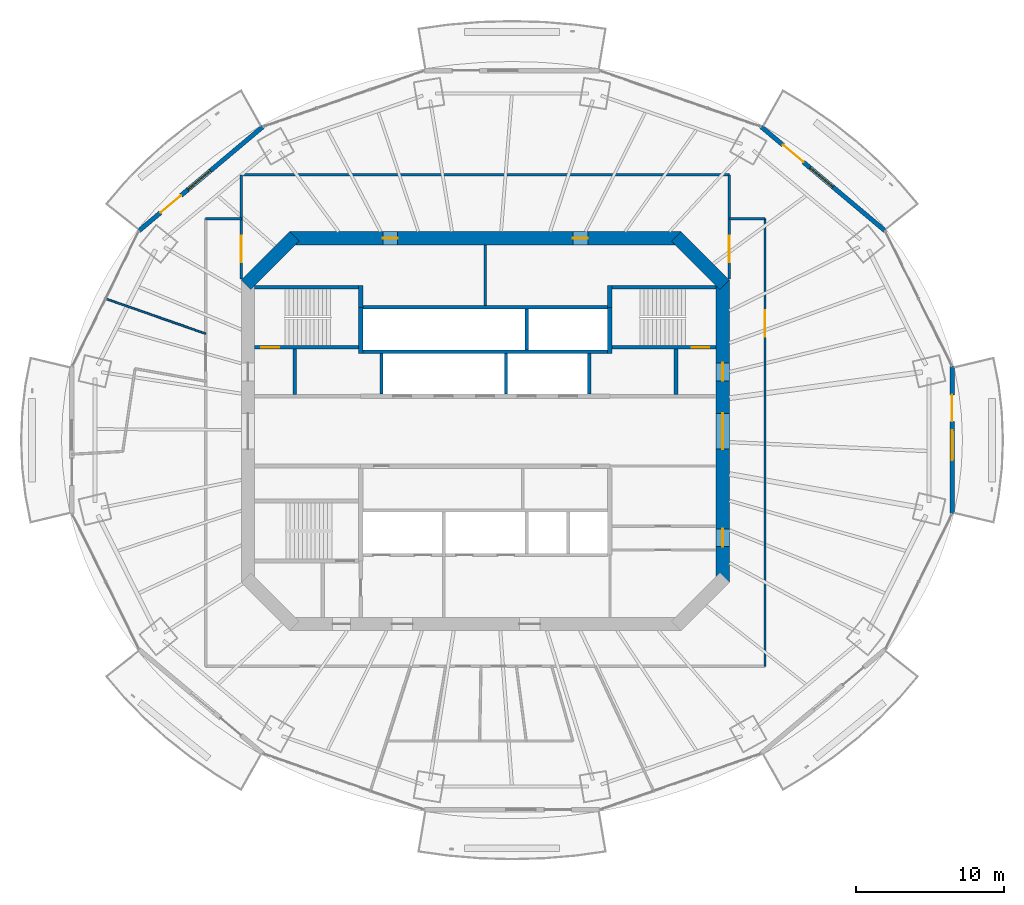
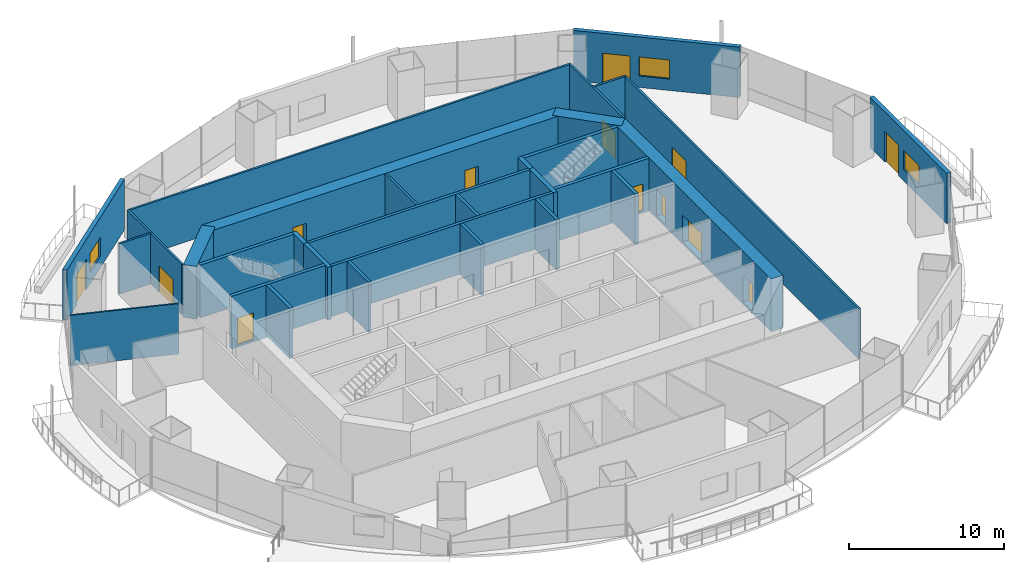
# One storey, part 12 of 19: 31 walls, 13 doors, 3 windows, 16 openings.
"""IFC4 building model written with IfcOpenShell, lengths in metres."""

from ifc_helpers import new_model, si_unit, direction, frame, frame_2d, origin, place, context, subcontext, project, spatial, rectangle, extrude, material, layer, layer_set, type_object, element, fill, save


model = new_model("IFC4")

# Units and contexts
model_context = context("Model", 3, precision=1e-05, world=origin(), true_north=direction((0.0, 1.0)))
body_context = subcontext(model_context, "Body", "Model", "MODEL_VIEW")
ifc_project = project(units=[si_unit("LENGTHUNIT", "METRE"), si_unit("AREAUNIT", "SQUARE_METRE"), si_unit("VOLUMEUNIT", "CUBIC_METRE"), si_unit("PLANEANGLEUNIT", "RADIAN"), si_unit("MASSUNIT", "GRAM", prefix="KILO")], contexts=[model_context])

# Site, building, storey
site_placement = place(None, origin())
site = spatial("IfcSite", under=ifc_project, at=site_placement, CompositionType="ELEMENT")
building_placement = place(site_placement, origin())
building = spatial("IfcBuilding", under=site, at=building_placement, Name="Marenthal Gate Tower", CompositionType="ELEMENT")
storey_placement = place(building_placement, frame((0.0, 0.0, 235.75)))
storey = spatial("IfcBuildingStorey", under=building, at=storey_placement, Name="L52", CompositionType="ELEMENT", Elevation=235.75)

# Wall, openings, doors
ifc_material_1 = material(Name="Concrete 60 MPa", Category="concrete")
ifc_layer_1 = layer(ifc_material_1, 0.89990234375)
ifc_layer_set_1 = layer_set([ifc_layer_1], Name="Core shear wall 900")
wall_type_1 = type_object("IfcWallType", Name="Core shear wall 900", PredefinedType="SHEAR", material=ifc_layer_set_1)
wall_1_placement = place(storey_placement, frame((16.0, -10.186279296875, -0.179931640625), z_axis=(0.0, 0.0, 1.0), x_axis=(0.0, 1.0, 0.0)))
wall_1 = element("IfcWall", 1, at=wall_1_placement, inside=storey, type_object=wall_type_1, Name="Core wall 02", PredefinedType="SHEAR", context=body_context, shape_type="SweptSolid", body=[
    extrude(rectangle(XDim=20.37255859375, YDim=0.89990234375, at=frame_2d((10.186279296875, 0.0))), origin(), (0.0, 0.0, 1.0), 4.14990234375),
])
opening_1_placement = place(wall_1_placement, frame((8.986328125, 0.0, 0.179931640625)))
opening_1 = element("IfcOpeningElement", 2, at=opening_1_placement, cuts=wall_1, Name="Opening D003.02", PredefinedType="OPENING", context=body_context, shape_type="SweptSolid", body=[
    extrude(rectangle(XDim=2.39990234375, YDim=2.10009765625, at=frame_2d((1.199951171875, 1.050048828125))), frame((0.0, 0.4599609375, 0.0), z_axis=(0.0, -1.0, 0.0), x_axis=(1.0, 0.0, 0.0)), (0.0, 0.0, 1.0), 0.919921875),
])
opening_2_placement = place(wall_1_placement, frame((13.58642578125, 0.0, 0.179931640625)))
opening_2 = element("IfcOpeningElement", 3, at=opening_2_placement, cuts=wall_1, Name="Opening D001.05", PredefinedType="OPENING", context=body_context, shape_type="SweptSolid", body=[
    extrude(rectangle(XDim=1.199951171875, YDim=2.10009765625, at=frame_2d((0.60009765625, 1.050048828125))), frame((0.0, 0.4599609375, 0.0), z_axis=(0.0, -1.0, 0.0), x_axis=(1.0, 0.0, 0.0)), (0.0, 0.0, 1.0), 0.919921875),
])
opening_3_placement = place(wall_1_placement, frame((2.39990234375, 0.0, 0.179931640625)))
opening_3 = element("IfcOpeningElement", 4, at=opening_3_placement, cuts=wall_1, Name="Opening D006.01", PredefinedType="OPENING", context=body_context, shape_type="SweptSolid", body=[
    extrude(rectangle(XDim=1.199951171875, YDim=2.10009765625, at=frame_2d((0.60009765625, 1.050048828125))), frame((0.0, 0.4599609375, 0.0), z_axis=(0.0, -1.0, 0.0), x_axis=(1.0, 0.0, 0.0)), (0.0, 0.0, 1.0), 0.919921875),
])
ifc_material_2 = material(Name="Steel fire door", Category="steel")
door_type_1 = type_object("IfcDoorType", Name="Double fire door FD 45 2400 x 2100", OperationType="DOUBLE_DOOR_SINGLE_SWING", PredefinedType="DOOR", material=ifc_material_2)
door_1_placement = place(opening_1_placement, origin())
door_1 = element("IfcDoor", 5, at=door_1_placement, inside=storey, type_object=door_type_1, Name="Door D003.02", OperationType="DOUBLE_DOOR_SINGLE_SWING", OverallHeight=2.10009765625, OverallWidth=2.39990234375, PredefinedType="DOOR", context=body_context, shape_type="SweptSolid", body=[
    extrude(rectangle(XDim=2.39990234375, YDim=2.10009765625, at=frame_2d((1.199951171875, 1.050048828125))), frame((0.0, 0.02490234375, 0.0), z_axis=(0.0, -1.0, 0.0), x_axis=(1.0, 0.0, 0.0)), (0.0, 0.0, 1.0), 0.050048828125),
])
fill(opening_1, door_1)
ifc_material_3 = material(Name="Steel fire door", Category="steel")
door_type_2 = type_object("IfcDoorType", Name="Fire door FD 45 1200 x 2100", OperationType="NOTDEFINED", PredefinedType="DOOR", material=ifc_material_3)
door_2_placement = place(opening_3_placement, origin())
door_2 = element("IfcDoor", 6, at=door_2_placement, inside=storey, type_object=door_type_2, Name="Door D006.01", OperationType="SINGLE_SWING_RIGHT", OverallHeight=2.10009765625, OverallWidth=1.199951171875, PredefinedType="DOOR", context=body_context, shape_type="SweptSolid", body=[
    extrude(rectangle(XDim=1.199951171875, YDim=2.10009765625, at=frame_2d((0.60009765625, 1.050048828125))), frame((0.0, 0.02490234375, 0.0), z_axis=(0.0, -1.0, 0.0), x_axis=(1.0, 0.0, 0.0)), (0.0, 0.0, 1.0), 0.050048828125),
])
fill(opening_3, door_2)
ifc_material_4 = material(Name="Steel fire door", Category="steel")
door_type_3 = type_object("IfcDoorType", Name="Fire door FD 90 1200 x 2100", OperationType="NOTDEFINED", PredefinedType="DOOR", material=ifc_material_4)
door_3_placement = place(opening_2_placement, origin())
door_3 = element("IfcDoor", 7, at=door_3_placement, inside=storey, type_object=door_type_3, Name="Door D001.05", OperationType="SINGLE_SWING_RIGHT", OverallHeight=2.10009765625, OverallWidth=1.199951171875, PredefinedType="DOOR", context=body_context, shape_type="SweptSolid", body=[
    extrude(rectangle(XDim=1.199951171875, YDim=2.10009765625, at=frame_2d((0.60009765625, 1.050048828125))), frame((0.0, 0.02490234375, 0.0), z_axis=(0.0, -1.0, 0.0), x_axis=(1.0, 0.0, 0.0)), (0.0, 0.0, 1.0), 0.050048828125),
])
fill(opening_2, door_3)

# Wall
wall_2_placement = place(storey_placement, frame((16.1318359375, 9.8681640625, -0.179931640625), z_axis=(0.0, 0.0, 1.0), x_axis=(-0.707106781187, 0.707106781187, 0.0)))
element("IfcWall", 8, at=wall_2_placement, inside=storey, type_object=wall_type_1, Name="Core wall 03", PredefinedType="SHEAR", context=body_context, shape_type="SweptSolid", body=[
    extrude(rectangle(XDim=4.615478515625, YDim=0.89990234375, at=frame_2d((2.3076171875, 0.0))), origin(), (0.0, 0.0, 1.0), 4.14990234375),
])

# Wall, openings, doors
wall_3_placement = place(storey_placement, frame((13.186279296875, 13.0, -0.179931640625), z_axis=(0.0, 0.0, 1.0), x_axis=(-1.0, 0.0, 0.0)))
wall_3 = element("IfcWall", 9, at=wall_3_placement, inside=storey, type_object=wall_type_1, Name="Core wall 04", PredefinedType="SHEAR", context=body_context, shape_type="SweptSolid", body=[
    extrude(rectangle(XDim=26.37255859375, YDim=0.89990234375, at=frame_2d((13.186279296875, 0.0))), origin(), (0.0, 0.0, 1.0), 4.14990234375),
])
opening_4_placement = place(wall_3_placement, frame((19.093505859375, 0.0, 0.179931640625)))
opening_4 = element("IfcOpeningElement", 10, at=opening_4_placement, cuts=wall_3, Name="Opening D005.03", PredefinedType="OPENING", context=body_context, shape_type="SweptSolid", body=[
    extrude(rectangle(XDim=1.0, YDim=2.10009765625, at=frame_2d((0.5, 1.050048828125))), frame((0.0, 0.4599609375, 0.0), z_axis=(0.0, -1.0, 0.0), x_axis=(1.0, 0.0, 0.0)), (0.0, 0.0, 1.0), 0.919921875),
])
opening_5_placement = place(wall_3_placement, frame((6.279296875, 0.0, 0.179931640625)))
opening_5 = element("IfcOpeningElement", 11, at=opening_5_placement, cuts=wall_3, Name="Opening D005.04", PredefinedType="OPENING", context=body_context, shape_type="SweptSolid", body=[
    extrude(rectangle(XDim=1.0, YDim=2.10009765625, at=frame_2d((0.5, 1.050048828125))), frame((0.0, 0.4599609375, 0.0), z_axis=(0.0, -1.0, 0.0), x_axis=(1.0, 0.0, 0.0)), (0.0, 0.0, 1.0), 0.919921875),
])
ifc_material_5 = material(Name="Steel fire door", Category="steel")
door_type_4 = type_object("IfcDoorType", Name="Fire door FD 45 1000 x 2100", OperationType="NOTDEFINED", PredefinedType="DOOR", material=ifc_material_5)
door_4_placement = place(opening_4_placement, origin())
door_4 = element("IfcDoor", 12, at=door_4_placement, inside=storey, type_object=door_type_4, Name="Door D005.03", OperationType="SINGLE_SWING_RIGHT", OverallHeight=2.10009765625, OverallWidth=1.0, PredefinedType="DOOR", context=body_context, shape_type="SweptSolid", body=[
    extrude(rectangle(XDim=1.0, YDim=2.10009765625, at=frame_2d((0.5, 1.050048828125))), frame((0.0, 0.02490234375, 0.0), z_axis=(0.0, -1.0, 0.0), x_axis=(1.0, 0.0, 0.0)), (0.0, 0.0, 1.0), 0.050048828125),
])
fill(opening_4, door_4)
door_5_placement = place(opening_5_placement, origin())
door_5 = element("IfcDoor", 13, at=door_5_placement, inside=storey, type_object=door_type_4, Name="Door D005.04", OperationType="SINGLE_SWING_RIGHT", OverallHeight=2.10009765625, OverallWidth=1.0, PredefinedType="DOOR", context=body_context, shape_type="SweptSolid", body=[
    extrude(rectangle(XDim=1.0, YDim=2.10009765625, at=frame_2d((0.5, 1.050048828125))), frame((0.0, 0.02490234375, 0.0), z_axis=(0.0, -1.0, 0.0), x_axis=(1.0, 0.0, 0.0)), (0.0, 0.0, 1.0), 0.050048828125),
])
fill(opening_5, door_5)

# Walls
wall_4_placement = place(storey_placement, frame((-12.8681640625, 13.1318359375, -0.179931640625), z_axis=(0.0, 0.0, 1.0), x_axis=(-0.707106781187, -0.707106781187, 0.0)))
element("IfcWall", 14, at=wall_4_placement, inside=storey, type_object=wall_type_1, Name="Core wall 05", PredefinedType="SHEAR", context=body_context, shape_type="SweptSolid", body=[
    extrude(rectangle(XDim=4.615478515625, YDim=0.89990234375, at=frame_2d((2.3076171875, 0.0))), origin(), (0.0, 0.0, 1.0), 4.14990234375),
])
ifc_material_6 = material(Name="Concrete 50 MPa", Category="concrete")
ifc_layer_2 = layer(ifc_material_6, 0.300048828125)
ifc_layer_set_2 = layer_set([ifc_layer_2], Name="Hoistway shear wall 300")
wall_type_2 = type_object("IfcWallType", Name="Hoistway shear wall 300", PredefinedType="SHEAR", material=ifc_layer_set_2)
for number, where, z_axis, x_axis, name in (
    (15, (-8.39990234375, 5.239990234375, -0.179931640625), (0.0, 0.0, 1.0), (0.0, 1.0, 0.0), "Hoistway wall 32"),
    (16, (8.39990234375, 5.239990234375, -0.179931640625), (0.0, 0.0, 1.0), (0.0, 1.0, 0.0), "Hoistway wall 46"),
):
    element("IfcWall", number, at=place(storey_placement, frame(where, z_axis=z_axis, x_axis=x_axis)), inside=storey, type_object=wall_type_2, Name=name, PredefinedType="SHEAR", context=body_context, shape_type="SweptSolid", body=[
        extrude(rectangle(XDim=3.110107421875, YDim=0.300048828125, at=frame_2d((1.55517578125, 0.0))), origin(), (0.0, 0.0, 1.0), 4.14990234375),
    ])
ifc_material_7 = material(Name="Concrete 40 MPa", Category="concrete")
ifc_layer_3 = layer(ifc_material_7, 0.219970703125)
ifc_layer_set_3 = layer_set([ifc_layer_3], Name="Hoistway wall 220")
wall_type_3 = type_object("IfcWallType", Name="Hoistway wall 220", PredefinedType="STANDARD", material=ifc_layer_set_3)
for number, where, z_axis, x_axis, name in (
    (17, (-8.25, 5.35009765625, 0.0), (0.0, 0.0, 1.0), (1.0, 0.0, 0.0), "Hoistway wall 22"),
    (18, (-8.25, 8.35009765625, 0.0), (0.0, 0.0, 1.0), (1.0, 0.0, 0.0), "Hoistway wall 25"),
):
    element("IfcWall", number, at=place(storey_placement, frame(where, z_axis=z_axis, x_axis=x_axis)), inside=storey, type_object=wall_type_3, Name=name, PredefinedType="STANDARD", context=body_context, shape_type="SweptSolid", body=[
        extrude(rectangle(XDim=16.5, YDim=0.219970703125, at=frame_2d((8.25, 0.0))), origin(), (0.0, 0.0, 1.0), 3.969970703125),
    ])
for number, where, z_axis, x_axis, name in (
    (19, (-7.0, 2.5, 0.0), (0.0, 0.0, 1.0), (0.0, 1.0, 0.0), "Hoistway wall 34"),
    (20, (1.39990234375, 2.5, 0.0), (0.0, 0.0, 1.0), (0.0, 1.0, 0.0), "Hoistway wall 38"),
):
    element("IfcWall", number, at=place(storey_placement, frame(where, z_axis=z_axis, x_axis=x_axis)), inside=storey, type_object=wall_type_3, Name=name, PredefinedType="STANDARD", context=body_context, shape_type="SweptSolid", body=[
        extrude(rectangle(XDim=2.739990234375, YDim=0.219970703125, at=frame_2d((1.3701171875, 0.0))), origin(), (0.0, 0.0, 1.0), 3.969970703125),
    ])
wall_5_placement = place(storey_placement, frame((2.800048828125, 5.4599609375, 0.0), z_axis=(0.0, 0.0, 1.0), x_axis=(0.0, 1.0, 0.0)))
element("IfcWall", 21, at=wall_5_placement, inside=storey, type_object=wall_type_3, Name="Hoistway wall 41", PredefinedType="STANDARD", context=body_context, shape_type="SweptSolid", body=[
    extrude(rectangle(XDim=2.780029296875, YDim=0.219970703125, at=frame_2d((1.39013671875, 0.0))), origin(), (0.0, 0.0, 1.0), 3.969970703125),
])
wall_6_placement = place(storey_placement, frame((7.0, 2.5, 0.0), z_axis=(0.0, 0.0, 1.0), x_axis=(0.0, 1.0, 0.0)))
element("IfcWall", 22, at=wall_6_placement, inside=storey, type_object=wall_type_3, Name="Hoistway wall 43", PredefinedType="STANDARD", context=body_context, shape_type="SweptSolid", body=[
    extrude(rectangle(XDim=2.739990234375, YDim=0.219970703125, at=frame_2d((1.3701171875, 0.0))), origin(), (0.0, 0.0, 1.0), 3.969970703125),
])
ifc_material_8 = material(Name="Gypsum board on steel studs", Category="steel")
ifc_layer_4 = layer(ifc_material_8, 0.1201171875)
ifc_layer_set_4 = layer_set([ifc_layer_4], Name="Partition 120")
wall_type_4 = type_object("IfcWallType", Name="Partition 120", PredefinedType="PARTITIONING", material=ifc_layer_set_4)
wall_7_placement = place(storey_placement, frame((-18.85009765625, 6.576171875, 0.0), z_axis=(0.0, 0.0, 1.0), x_axis=(-0.944186113953, 0.329412480362, 0.0)))
element("IfcWall", 23, at=wall_7_placement, inside=storey, type_object=wall_type_4, Name="Partition wall 53", PredefinedType="PARTITIONING", context=body_context, shape_type="SweptSolid", body=[
    extrude(rectangle(XDim=7.155029296875, YDim=0.1201171875, at=frame_2d((3.57763671875, 0.0))), origin(), (0.0, 0.0, 1.0), 3.969970703125),
])
ifc_material_9 = material(Name="Gypsum board on steel studs", Category="steel")
ifc_layer_5 = layer(ifc_material_9, 0.14990234375)
ifc_layer_set_5 = layer_set([ifc_layer_5], Name="Partition 150")
wall_type_5 = type_object("IfcWallType", Name="Partition 150", PredefinedType="PARTITIONING", material=ifc_layer_set_5)
wall_8_placement = place(storey_placement, frame((0.0, 8.4599609375, 0.0), z_axis=(0.0, 0.0, 1.0), x_axis=(0.0, 1.0, 0.0)))
element("IfcWall", 24, at=wall_8_placement, inside=storey, type_object=wall_type_5, Name="Partition wall 37", PredefinedType="PARTITIONING", context=body_context, shape_type="SweptSolid", body=[
    extrude(rectangle(XDim=4.090087890625, YDim=0.14990234375, at=frame_2d((2.044921875, 0.0))), origin(), (0.0, 0.0, 1.0), 3.969970703125),
])
wall_9_placement = place(storey_placement, frame((-18.85009765625, 14.325927734375, 0.0), z_axis=(0.0, 0.0, 1.0), x_axis=(1.0, 0.0, 0.0)))
element("IfcWall", 25, at=wall_9_placement, inside=storey, type_object=wall_type_5, Name="Partition wall 54", PredefinedType="PARTITIONING", context=body_context, shape_type="SweptSolid", body=[
    extrude(rectangle(XDim=2.400146484375, YDim=0.14990234375, at=frame_2d((1.2001953125, 0.0))), origin(), (0.0, 0.0, 1.0), 3.969970703125),
])

# Wall, opening, door
wall_10_placement = place(storey_placement, frame((-16.449951171875, 10.25, 0.0), z_axis=(0.0, 0.0, 1.0), x_axis=(0.0, 1.0, 0.0)))
wall_10 = element("IfcWall", 26, at=wall_10_placement, inside=storey, type_object=wall_type_5, Name="Partition wall 55", PredefinedType="PARTITIONING", context=body_context, shape_type="SweptSolid", body=[
    extrude(rectangle(XDim=7.03662109375, YDim=0.14990234375, at=frame_2d((3.518310546875, 0.0))), origin(), (0.0, 0.0, 1.0), 3.969970703125),
])
opening_6_placement = place(wall_10_placement, frame((1.137939453125, 0.0, 0.0)))
opening_6 = element("IfcOpeningElement", 27, at=opening_6_placement, cuts=wall_10, Name="Opening D014.03", PredefinedType="OPENING", context=body_context, shape_type="SweptSolid", body=[
    extrude(rectangle(XDim=1.800048828125, YDim=2.10009765625, at=frame_2d((0.89990234375, 1.050048828125))), frame((0.0, 0.0849609375, 0.0), z_axis=(0.0, -1.0, 0.0), x_axis=(1.0, 0.0, 0.0)), (0.0, 0.0, 1.0), 0.169921875),
])
ifc_material_10 = material(Name="Timber door", Category="wood")
door_type_5 = type_object("IfcDoorType", Name="Double door 1800 x 2100", OperationType="DOUBLE_DOOR_SINGLE_SWING", PredefinedType="DOOR", material=ifc_material_10)
door_6_placement = place(opening_6_placement, origin())
door_6 = element("IfcDoor", 28, at=door_6_placement, inside=storey, type_object=door_type_5, Name="Door D014.03", OperationType="DOUBLE_DOOR_SINGLE_SWING", OverallHeight=2.10009765625, OverallWidth=1.800048828125, PredefinedType="DOOR", context=body_context, shape_type="SweptSolid", body=[
    extrude(rectangle(XDim=1.800048828125, YDim=2.10009765625, at=frame_2d((0.89990234375, 1.050048828125))), frame((0.0, 0.02490234375, 0.0), z_axis=(0.0, -1.0, 0.0), x_axis=(1.0, 0.0, 0.0)), (0.0, 0.0, 1.0), 0.050048828125),
])
fill(opening_6, door_6)

# Wall
wall_11_placement = place(storey_placement, frame((-16.449951171875, 17.28662109375, 0.0), z_axis=(0.0, 0.0, 1.0), x_axis=(1.0, 0.0, 0.0)))
element("IfcWall", 29, at=wall_11_placement, inside=storey, type_object=wall_type_5, Name="Partition wall 56", PredefinedType="PARTITIONING", context=body_context, shape_type="SweptSolid", body=[
    extrude(rectangle(XDim=32.89990234375, YDim=0.14990234375, at=frame_2d((16.449951171875, 0.0))), origin(), (0.0, 0.0, 1.0), 3.969970703125),
])

# Wall, opening, door
wall_12_placement = place(storey_placement, frame((16.449951171875, 10.25, 0.0), z_axis=(0.0, 0.0, 1.0), x_axis=(0.0, 1.0, 0.0)))
wall_12 = element("IfcWall", 30, at=wall_12_placement, inside=storey, type_object=wall_type_5, Name="Partition wall 64", PredefinedType="PARTITIONING", context=body_context, shape_type="SweptSolid", body=[
    extrude(rectangle(XDim=7.03662109375, YDim=0.14990234375, at=frame_2d((3.518310546875, 0.0))), origin(), (0.0, 0.0, 1.0), 3.969970703125),
])
opening_7_placement = place(wall_12_placement, frame((1.137939453125, 0.0, 0.0)))
opening_7 = element("IfcOpeningElement", 31, at=opening_7_placement, cuts=wall_12, Name="Opening D014.04", PredefinedType="OPENING", context=body_context, shape_type="SweptSolid", body=[
    extrude(rectangle(XDim=1.800048828125, YDim=2.10009765625, at=frame_2d((0.89990234375, 1.050048828125))), frame((0.0, 0.0849609375, 0.0), z_axis=(0.0, -1.0, 0.0), x_axis=(1.0, 0.0, 0.0)), (0.0, 0.0, 1.0), 0.169921875),
])
door_7_placement = place(opening_7_placement, origin())
door_7 = element("IfcDoor", 32, at=door_7_placement, inside=storey, type_object=door_type_5, Name="Door D014.04", OperationType="DOUBLE_DOOR_SINGLE_SWING", OverallHeight=2.10009765625, OverallWidth=1.800048828125, PredefinedType="DOOR", context=body_context, shape_type="SweptSolid", body=[
    extrude(rectangle(XDim=1.800048828125, YDim=2.10009765625, at=frame_2d((0.89990234375, 1.050048828125))), frame((0.0, 0.02490234375, 0.0), z_axis=(0.0, -1.0, 0.0), x_axis=(1.0, 0.0, 0.0)), (0.0, 0.0, 1.0), 0.050048828125),
])
fill(opening_7, door_7)

# Wall
wall_13_placement = place(storey_placement, frame((16.449951171875, 14.325927734375, 0.0), z_axis=(0.0, 0.0, 1.0), x_axis=(1.0, 0.0, 0.0)))
element("IfcWall", 33, at=wall_13_placement, inside=storey, type_object=wall_type_5, Name="Partition wall 65", PredefinedType="PARTITIONING", context=body_context, shape_type="SweptSolid", body=[
    extrude(rectangle(XDim=2.400146484375, YDim=0.14990234375, at=frame_2d((1.2001953125, 0.0))), origin(), (0.0, 0.0, 1.0), 3.969970703125),
])

# Wall, opening, door
wall_14_placement = place(storey_placement, frame((18.85009765625, 14.325927734375, 0.0), z_axis=(0.0, 0.0, 1.0), x_axis=(0.0, -1.0, 0.0)))
wall_14 = element("IfcWall", 34, at=wall_14_placement, inside=storey, type_object=wall_type_5, Name="Partition wall 67", PredefinedType="PARTITIONING", context=body_context, shape_type="SweptSolid", body=[
    extrude(rectangle(XDim=30.176025390625, YDim=0.14990234375, at=frame_2d((15.087890625, 0.0))), origin(), (0.0, 0.0, 1.0), 3.969970703125),
])
opening_8_placement = place(wall_14_placement, frame((6.156982421875, 0.0, 0.0)))
opening_8 = element("IfcOpeningElement", 35, at=opening_8_placement, cuts=wall_14, Name="Opening D014.02", PredefinedType="OPENING", context=body_context, shape_type="SweptSolid", body=[
    extrude(rectangle(XDim=1.800048828125, YDim=2.10009765625, at=frame_2d((0.89990234375, 1.050048828125))), frame((0.0, 0.0849609375, 0.0), z_axis=(0.0, -1.0, 0.0), x_axis=(1.0, 0.0, 0.0)), (0.0, 0.0, 1.0), 0.169921875),
])
door_8_placement = place(opening_8_placement, origin())
door_8 = element("IfcDoor", 36, at=door_8_placement, inside=storey, type_object=door_type_5, Name="Door D014.02", OperationType="DOUBLE_DOOR_SINGLE_SWING", OverallHeight=2.10009765625, OverallWidth=1.800048828125, PredefinedType="DOOR", context=body_context, shape_type="SweptSolid", body=[
    extrude(rectangle(XDim=1.800048828125, YDim=2.10009765625, at=frame_2d((0.89990234375, 1.050048828125))), frame((0.0, 0.02490234375, 0.0), z_axis=(0.0, -1.0, 0.0), x_axis=(1.0, 0.0, 0.0)), (0.0, 0.0, 1.0), 0.050048828125),
])
fill(opening_8, door_8)

# Walls
ifc_material_11 = material(Name="Concrete 40 MPa", Category="concrete")
ifc_layer_6 = layer(ifc_material_11, 0.25)
ifc_layer_set_6 = layer_set([ifc_layer_6], Name="Stair enclosure wall 250")
wall_type_6 = type_object("IfcWallType", Name="Stair enclosure wall 250", PredefinedType="STANDARD", material=ifc_layer_set_6)
for number, where, z_axis, x_axis, name in (
    (37, (-12.85009765625, 2.47509765625, 0.0), (0.0, 0.0, 1.0), (0.0, 1.0, 0.0), "Stair wall 28"),
    (38, (12.85009765625, 2.47509765625, 0.0), (0.0, 0.0, 1.0), (0.0, 1.0, 0.0), "Stair wall 48"),
):
    element("IfcWall", number, at=place(storey_placement, frame(where, z_axis=z_axis, x_axis=x_axis)), inside=storey, type_object=wall_type_6, Name=name, PredefinedType="STANDARD", context=body_context, shape_type="SweptSolid", body=[
        extrude(rectangle(XDim=3.0498046875, YDim=0.25, at=frame_2d((1.52490234375, 0.0))), origin(), (0.0, 0.0, 1.0), 3.969970703125),
    ])

# Wall, opening, door
ifc_material_12 = material(Name="Concrete 50 MPa", Category="concrete")
ifc_layer_7 = layer(ifc_material_12, 0.25)
ifc_layer_set_7 = layer_set([ifc_layer_7], Name="Stair shear wall 250")
wall_type_7 = type_object("IfcWallType", Name="Stair shear wall 250", PredefinedType="SHEAR", material=ifc_layer_set_7)
wall_15_placement = place(storey_placement, frame((-15.550048828125, 5.64990234375, -0.179931640625), z_axis=(0.0, 0.0, 1.0), x_axis=(1.0, 0.0, 0.0)))
wall_15 = element("IfcWall", 39, at=wall_15_placement, inside=storey, type_object=wall_type_7, Name="Stair wall 23", PredefinedType="SHEAR", context=body_context, shape_type="SweptSolid", body=[
    extrude(rectangle(XDim=7.0, YDim=0.25, at=frame_2d((3.5, 0.0))), origin(), (0.0, 0.0, 1.0), 4.14990234375),
])
opening_9_placement = place(wall_15_placement, frame((0.449951171875, 0.0, 0.179931640625)))
opening_9 = element("IfcOpeningElement", 40, at=opening_9_placement, cuts=wall_15, Name="Opening D001.01", PredefinedType="OPENING", context=body_context, shape_type="SweptSolid", body=[
    extrude(rectangle(XDim=1.199951171875, YDim=2.10009765625, at=frame_2d((0.60009765625, 1.050048828125))), frame((0.0, 0.135009765625, 0.0), z_axis=(0.0, -1.0, 0.0), x_axis=(1.0, 0.0, 0.0)), (0.0, 0.0, 1.0), 0.27001953125),
])
door_9_placement = place(opening_9_placement, origin())
door_9 = element("IfcDoor", 41, at=door_9_placement, inside=storey, type_object=door_type_3, Name="Door D001.01", OperationType="SINGLE_SWING_RIGHT", OverallHeight=2.10009765625, OverallWidth=1.199951171875, PredefinedType="DOOR", context=body_context, shape_type="SweptSolid", body=[
    extrude(rectangle(XDim=1.199951171875, YDim=2.10009765625, at=frame_2d((0.60009765625, 1.050048828125))), frame((0.0, 0.02490234375, 0.0), z_axis=(0.0, -1.0, 0.0), x_axis=(1.0, 0.0, 0.0)), (0.0, 0.0, 1.0), 0.050048828125),
])
fill(opening_9, door_9)

wall_16_placement = place(storey_placement, frame((8.550048828125, 5.64990234375, -0.179931640625), z_axis=(0.0, 0.0, 1.0), x_axis=(1.0, 0.0, 0.0)))
wall_16 = element("IfcWall", 42, at=wall_16_placement, inside=storey, type_object=wall_type_7, Name="Stair wall 24", PredefinedType="SHEAR", context=body_context, shape_type="SweptSolid", body=[
    extrude(rectangle(XDim=7.0, YDim=0.25, at=frame_2d((3.5, 0.0))), origin(), (0.0, 0.0, 1.0), 4.14990234375),
])
opening_10_placement = place(wall_16_placement, frame((5.35009765625, 0.0, 0.179931640625)))
opening_10 = element("IfcOpeningElement", 43, at=opening_10_placement, cuts=wall_16, Name="Opening D001.02", PredefinedType="OPENING", context=body_context, shape_type="SweptSolid", body=[
    extrude(rectangle(XDim=1.199951171875, YDim=2.10009765625, at=frame_2d((0.60009765625, 1.050048828125))), frame((0.0, 0.135009765625, 0.0), z_axis=(0.0, -1.0, 0.0), x_axis=(1.0, 0.0, 0.0)), (0.0, 0.0, 1.0), 0.27001953125),
])
door_10_placement = place(opening_10_placement, origin())
door_10 = element("IfcDoor", 44, at=door_10_placement, inside=storey, type_object=door_type_3, Name="Door D001.02", OperationType="SINGLE_SWING_RIGHT", OverallHeight=2.10009765625, OverallWidth=1.199951171875, PredefinedType="DOOR", context=body_context, shape_type="SweptSolid", body=[
    extrude(rectangle(XDim=1.199951171875, YDim=2.10009765625, at=frame_2d((0.60009765625, 1.050048828125))), frame((0.0, 0.02490234375, 0.0), z_axis=(0.0, -1.0, 0.0), x_axis=(1.0, 0.0, 0.0)), (0.0, 0.0, 1.0), 0.050048828125),
])
fill(opening_10, door_10)

# Walls
for number, where, z_axis, x_axis, name in (
    (45, (-15.550048828125, 9.699951171875, -0.179931640625), (0.0, 0.0, 1.0), (1.0, 0.0, 0.0), "Stair wall 26"),
    (46, (8.550048828125, 9.699951171875, -0.179931640625), (0.0, 0.0, 1.0), (1.0, 0.0, 0.0), "Stair wall 27"),
):
    element("IfcWall", number, at=place(storey_placement, frame(where, z_axis=z_axis, x_axis=x_axis)), inside=storey, type_object=wall_type_7, Name=name, PredefinedType="SHEAR", context=body_context, shape_type="SweptSolid", body=[
        extrude(rectangle(XDim=7.0, YDim=0.25, at=frame_2d((3.5, 0.0))), origin(), (0.0, 0.0, 1.0), 4.14990234375),
    ])
ifc_material_13 = material(Name="Concrete 50 MPa", Category="concrete")
ifc_layer_8 = layer(ifc_material_13, 0.300048828125)
ifc_layer_set_8 = layer_set([ifc_layer_8], Name="Stair shear wall 300")
wall_type_8 = type_object("IfcWallType", Name="Stair shear wall 300", PredefinedType="SHEAR", material=ifc_layer_set_8)
for number, where, z_axis, x_axis, name in (
    (47, (-8.39990234375, 8.35009765625, -0.179931640625), (0.0, 0.0, 1.0), (0.0, 1.0, 0.0), "Stair wall 33"),
    (48, (8.39990234375, 8.35009765625, -0.179931640625), (0.0, 0.0, 1.0), (0.0, 1.0, 0.0), "Stair wall 47"),
):
    element("IfcWall", number, at=place(storey_placement, frame(where, z_axis=z_axis, x_axis=x_axis)), inside=storey, type_object=wall_type_8, Name=name, PredefinedType="SHEAR", context=body_context, shape_type="SweptSolid", body=[
        extrude(rectangle(XDim=1.474853515625, YDim=0.300048828125, at=frame_2d((0.7373046875, 0.0))), origin(), (0.0, 0.0, 1.0), 4.14990234375),
    ])

# Wall, openings, door, window
ifc_material_14 = material(Name="Terracotta cladding on insulated concrete-block backing", Category="masonry")
ifc_layer_9 = layer(ifc_material_14, 0.300048828125)
ifc_layer_set_9 = layer_set([ifc_layer_9], Name="Terracotta facade wall 300")
wall_type_9 = type_object("IfcWallType", Name="Terracotta facade wall 300", PredefinedType="SOLIDWALL", material=ifc_layer_set_9)
wall_17_placement = place(storey_placement, frame((26.94775390625, 13.510986328125, 0.0), z_axis=(0.0, 0.0, 1.0), x_axis=(-0.765786072148, 0.643095398603, 0.0)))
wall_17 = element("IfcWall", 49, at=wall_17_placement, inside=storey, type_object=wall_type_9, Name="Terracotta facade wall L52 bay 2", PredefinedType="SOLIDWALL", context=body_context, shape_type="SweptSolid", body=[
    extrude(rectangle(XDim=10.896728515625, YDim=0.300048828125, at=frame_2d((5.4482421875, 0.0))), origin(), (0.0, 0.0, 1.0), 3.969970703125),
])
opening_11_placement = place(wall_17_placement, frame((7.19677734375, 0.0, 0.0)))
opening_11 = element("IfcOpeningElement", 50, at=opening_11_placement, cuts=wall_17, Name="Opening BD-L52-02", PredefinedType="OPENING", context=body_context, shape_type="SweptSolid", body=[
    extrude(rectangle(XDim=1.800048828125, YDim=2.39990234375, at=frame_2d((0.89990234375, 1.199951171875))), frame((0.0, 0.16015625, 0.0), z_axis=(0.0, -1.0, 0.0), x_axis=(1.0, 0.0, 0.0)), (0.0, 0.0, 1.0), 0.320068359375),
])
opening_12_placement = place(wall_17_placement, frame((4.5966796875, 0.0, 0.89990234375)))
opening_12 = element("IfcOpeningElement", 51, at=opening_12_placement, cuts=wall_17, Name="Opening WN2-L52-02", PredefinedType="OPENING", context=body_context, shape_type="SweptSolid", body=[
    extrude(rectangle(XDim=2.0, YDim=1.5, at=frame_2d((1.0, 0.75))), frame((0.0, 0.16015625, 0.0), z_axis=(0.0, -1.0, 0.0), x_axis=(1.0, 0.0, 0.0)), (0.0, 0.0, 1.0), 0.320068359375),
])
ifc_material_15 = material(Name="Aluminium and glass", Category="aluminium")
door_type_6 = type_object("IfcDoorType", Name="Balcony door 1800x2400", OperationType="DOUBLE_DOOR_SINGLE_SWING", PredefinedType="DOOR", material=ifc_material_15)
door_11_placement = place(opening_11_placement, origin())
door_11 = element("IfcDoor", 52, at=door_11_placement, inside=storey, type_object=door_type_6, Name="Balcony door L52 bay 2", OperationType="SINGLE_SWING_LEFT", OverallHeight=2.39990234375, OverallWidth=1.800048828125, PredefinedType="DOOR", context=body_context, shape_type="SweptSolid", body=[
    extrude(rectangle(XDim=1.800048828125, YDim=2.39990234375, at=frame_2d((0.89990234375, 1.199951171875))), frame((0.0, 0.02490234375, 0.0), z_axis=(0.0, -1.0, 0.0), x_axis=(1.0, 0.0, 0.0)), (0.0, 0.0, 1.0), 0.050048828125),
])
fill(opening_11, door_11)
ifc_material_16 = material(Name="Aluminium and glass", Category="aluminium")
window_type = type_object("IfcWindowType", Name="Window 2000x1500", PartitioningType="DOUBLE_PANEL_VERTICAL", PredefinedType="WINDOW", material=ifc_material_16)
window_1_placement = place(opening_12_placement, origin())
window_1 = element("IfcWindow", 53, at=window_1_placement, inside=storey, type_object=window_type, Name="Window L52 bay 2", OverallHeight=1.5, OverallWidth=2.0, PartitioningType="SINGLE_PANEL", PredefinedType="WINDOW", context=body_context, shape_type="SweptSolid", body=[
    extrude(rectangle(XDim=2.0, YDim=1.5, at=frame_2d((1.0, 0.75))), frame((0.0, 0.030029296875, 0.0), z_axis=(0.0, -1.0, 0.0), x_axis=(1.0, 0.0, 0.0)), (0.0, 0.0, 1.0), 0.06005859375),
])
fill(opening_12, window_1)

wall_18_placement = place(storey_placement, frame((-15.003173828125, 20.5185546875, 0.0), z_axis=(0.0, 0.0, 1.0), x_axis=(-0.765786072148, -0.643095398603, 0.0)))
wall_18 = element("IfcWall", 54, at=wall_18_placement, inside=storey, type_object=wall_type_9, Name="Terracotta facade wall L52 bay 6", PredefinedType="SOLIDWALL", context=body_context, shape_type="SweptSolid", body=[
    extrude(rectangle(XDim=10.896728515625, YDim=0.300048828125, at=frame_2d((5.4482421875, 0.0))), origin(), (0.0, 0.0, 1.0), 3.969970703125),
])
opening_13_placement = place(wall_18_placement, frame((7.19677734375, 0.0, 0.0)))
opening_13 = element("IfcOpeningElement", 55, at=opening_13_placement, cuts=wall_18, Name="Opening BD-L52-06", PredefinedType="OPENING", context=body_context, shape_type="SweptSolid", body=[
    extrude(rectangle(XDim=1.800048828125, YDim=2.39990234375, at=frame_2d((0.89990234375, 1.199951171875))), frame((0.0, 0.16015625, 0.0), z_axis=(0.0, -1.0, 0.0), x_axis=(1.0, 0.0, 0.0)), (0.0, 0.0, 1.0), 0.320068359375),
])
opening_14_placement = place(wall_18_placement, frame((4.5966796875, 0.0, 0.89990234375)))
opening_14 = element("IfcOpeningElement", 56, at=opening_14_placement, cuts=wall_18, Name="Opening WN2-L52-06", PredefinedType="OPENING", context=body_context, shape_type="SweptSolid", body=[
    extrude(rectangle(XDim=2.0, YDim=1.5, at=frame_2d((1.0, 0.75))), frame((0.0, 0.16015625, 0.0), z_axis=(0.0, -1.0, 0.0), x_axis=(1.0, 0.0, 0.0)), (0.0, 0.0, 1.0), 0.320068359375),
])
door_12_placement = place(opening_13_placement, origin())
door_12 = element("IfcDoor", 57, at=door_12_placement, inside=storey, type_object=door_type_6, Name="Balcony door L52 bay 6", OperationType="SINGLE_SWING_LEFT", OverallHeight=2.39990234375, OverallWidth=1.800048828125, PredefinedType="DOOR", context=body_context, shape_type="SweptSolid", body=[
    extrude(rectangle(XDim=1.800048828125, YDim=2.39990234375, at=frame_2d((0.89990234375, 1.199951171875))), frame((0.0, 0.02490234375, 0.0), z_axis=(0.0, -1.0, 0.0), x_axis=(1.0, 0.0, 0.0)), (0.0, 0.0, 1.0), 0.050048828125),
])
fill(opening_13, door_12)
window_2_placement = place(opening_14_placement, origin())
window_2 = element("IfcWindow", 58, at=window_2_placement, inside=storey, type_object=window_type, Name="Window L52 bay 6", OverallHeight=1.5, OverallWidth=2.0, PartitioningType="SINGLE_PANEL", PredefinedType="WINDOW", context=body_context, shape_type="SweptSolid", body=[
    extrude(rectangle(XDim=2.0, YDim=1.5, at=frame_2d((1.0, 0.75))), frame((0.0, 0.030029296875, 0.0), z_axis=(0.0, -1.0, 0.0), x_axis=(1.0, 0.0, 0.0)), (0.0, 0.0, 1.0), 0.06005859375),
])
fill(opening_14, window_2)

wall_19_placement = place(storey_placement, frame((31.4638671875, -5.55517578125, 0.0), z_axis=(0.0, 0.0, 1.0), x_axis=(0.0, 1.0, 0.0)))
wall_19 = element("IfcWall", 59, at=wall_19_placement, inside=storey, type_object=wall_type_9, Name="Terracotta facade wall L52 bay 16", PredefinedType="SOLIDWALL", context=body_context, shape_type="SweptSolid", body=[
    extrude(rectangle(XDim=9.91015625, YDim=0.300048828125, at=frame_2d((4.955078125, 0.0))), origin(), (0.0, 0.0, 1.0), 3.969970703125),
])
opening_15_placement = place(wall_19_placement, frame((6.210205078125, 0.0, 0.0)))
opening_15 = element("IfcOpeningElement", 60, at=opening_15_placement, cuts=wall_19, Name="Opening BD-L52-16", PredefinedType="OPENING", context=body_context, shape_type="SweptSolid", body=[
    extrude(rectangle(XDim=1.800048828125, YDim=2.39990234375, at=frame_2d((0.89990234375, 1.199951171875))), frame((0.0, 0.16015625, 0.0), z_axis=(0.0, -1.0, 0.0), x_axis=(1.0, 0.0, 0.0)), (0.0, 0.0, 1.0), 0.320068359375),
])
opening_16_placement = place(wall_19_placement, frame((3.610107421875, 0.0, 0.89990234375)))
opening_16 = element("IfcOpeningElement", 61, at=opening_16_placement, cuts=wall_19, Name="Opening WN2-L52-16", PredefinedType="OPENING", context=body_context, shape_type="SweptSolid", body=[
    extrude(rectangle(XDim=2.0, YDim=1.5, at=frame_2d((1.0, 0.75))), frame((0.0, 0.16015625, 0.0), z_axis=(0.0, -1.0, 0.0), x_axis=(1.0, 0.0, 0.0)), (0.0, 0.0, 1.0), 0.320068359375),
])
door_13_placement = place(opening_15_placement, origin())
door_13 = element("IfcDoor", 62, at=door_13_placement, inside=storey, type_object=door_type_6, Name="Balcony door L52 bay 16", OperationType="SINGLE_SWING_LEFT", OverallHeight=2.39990234375, OverallWidth=1.800048828125, PredefinedType="DOOR", context=body_context, shape_type="SweptSolid", body=[
    extrude(rectangle(XDim=1.800048828125, YDim=2.39990234375, at=frame_2d((0.89990234375, 1.199951171875))), frame((0.0, 0.02490234375, 0.0), z_axis=(0.0, -1.0, 0.0), x_axis=(1.0, 0.0, 0.0)), (0.0, 0.0, 1.0), 0.050048828125),
])
fill(opening_15, door_13)
window_3_placement = place(opening_16_placement, origin())
window_3 = element("IfcWindow", 63, at=window_3_placement, inside=storey, type_object=window_type, Name="Window L52 bay 16", OverallHeight=1.5, OverallWidth=2.0, PartitioningType="SINGLE_PANEL", PredefinedType="WINDOW", context=body_context, shape_type="SweptSolid", body=[
    extrude(rectangle(XDim=2.0, YDim=1.5, at=frame_2d((1.0, 0.75))), frame((0.0, 0.030029296875, 0.0), z_axis=(0.0, -1.0, 0.0), x_axis=(1.0, 0.0, 0.0)), (0.0, 0.0, 1.0), 0.06005859375),
])
fill(opening_16, window_3)

save(model, "model.ifc")
